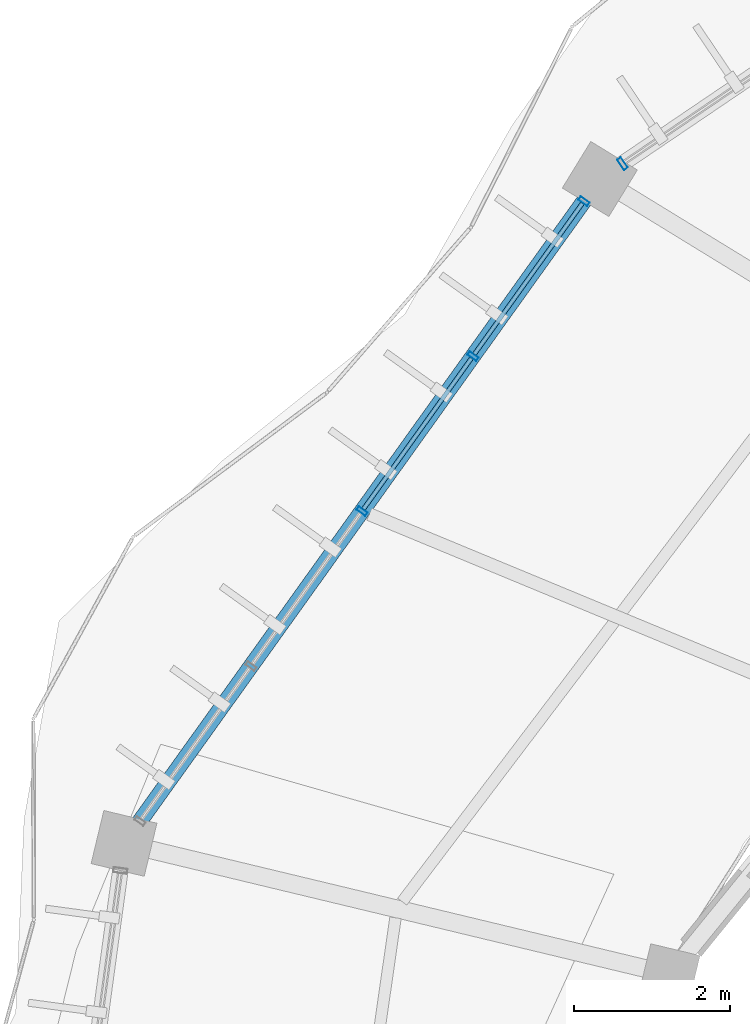
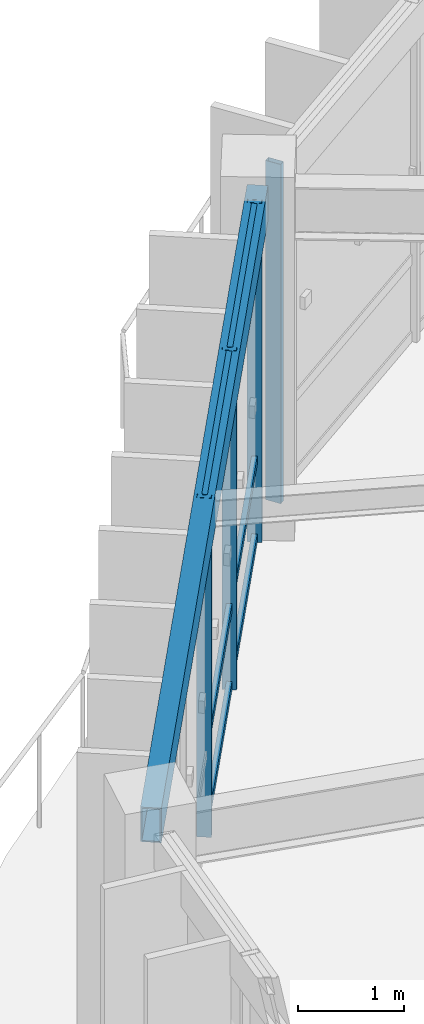
# One storey, part 42 of 138: 10 members, 1 beam, 2 elements without a shape of their own.
"""IFC4 building model written with IfcOpenShell, lengths in metres."""

from ifc_helpers import new_model, si_unit, direction, frame, origin, origin_2d, place, context, subcontext, project, spatial, hollow_rectangle, extrude, material, material_profile, profile_set, type_object, element, aggregate, save


model = new_model("IFC4")

# Units and contexts
model_context = context("Model", 3, precision=1e-05, world=origin(), true_north=direction((0.0, 1.0)))
body_context = subcontext(model_context, "Body", "Model", "MODEL_VIEW")
ifc_project = project(units=[si_unit("LENGTHUNIT", "METRE"), si_unit("AREAUNIT", "SQUARE_METRE"), si_unit("VOLUMEUNIT", "CUBIC_METRE"), si_unit("PLANEANGLEUNIT", "RADIAN"), si_unit("MASSUNIT", "GRAM", prefix="KILO"), si_unit("THERMODYNAMICTEMPERATUREUNIT", "KELVIN"), si_unit("POWERUNIT", "WATT")], contexts=[model_context])

# Site, building, storey
site_placement = place(None, origin())
site = spatial("IfcSite", under=ifc_project, at=site_placement, CompositionType="ELEMENT")
building_placement = place(site_placement, origin())
building = spatial("IfcBuilding", under=site, at=building_placement, Name="Darbajah Civic Hall", CompositionType="ELEMENT")
storey_placement = place(building_placement, frame((0.0, 0.0, 9.60009765625)))
storey = spatial("IfcBuildingStorey", under=building, at=storey_placement, Name="L02", CompositionType="ELEMENT", Elevation=9.60009765625)

# Curtain wall, members
ifc_material_1 = material(Name="Anodised Bronze Aluminium and Low-E Glazing", Category="aluminium")
curtain_wall_type_1 = type_object("IfcCurtainWallType", Name="Unitised Curtain Wall CW-44 9800x3900", PredefinedType="USERDEFINED", material=ifc_material_1)
curtain_wall_1_placement = place(storey_placement, origin())
curtain_wall_1 = element("IfcCurtainWall", 1, at=curtain_wall_1_placement, inside=storey, type_object=curtain_wall_type_1, Name="L02 unitised curtain wall CW-V1O-L02-08", ObjectType="UNITISED CURTAIN WALL", PredefinedType="USERDEFINED")
ifc_material_2 = material(Name="Anodised Bronze Aluminium", Category="aluminium")
ifc_material_profile_1 = material_profile(ifc_material_2, hollow_rectangle(XDim=0.054931640625, YDim=0.139892578125, WallThickness=0.003173828125, at=origin_2d()), Name="ALU MULLION 55x140")
ifc_profile_set_1 = profile_set([ifc_material_profile_1], Name="Anodised Bronze Aluminium")
member_type_1 = type_object("IfcMemberType", Name="ALU MULLION 55x140", PredefinedType="MULLION", material=ifc_profile_set_1)
member_1_placement = place(storey_placement, frame((45.410400390625, 104.927490234375, 0.0), z_axis=(0.0, 0.0, 1.0), x_axis=(-0.582264874145, -0.812999149039, 0.0)))
member_1 = element("IfcMember", 2, at=member_1_placement, type_object=member_type_1, Name="CW-V1O-L02-08 mullion 1", PredefinedType="MULLION", context=body_context, shape_type="SweptSolid", body=[
    extrude(hollow_rectangle(XDim=0.054931640625, YDim=0.139892578125, WallThickness=0.003173828125, at=origin_2d()), origin(), (0.0, 0.0, 1.0), 3.919921875),
])
member_2_placement = place(storey_placement, frame((43.986328125, 102.938720703125, 0.0), z_axis=(0.0, 0.0, 1.0), x_axis=(-0.582264874145, -0.812999149039, 0.0)))
member_2 = element("IfcMember", 3, at=member_2_placement, type_object=member_type_1, Name="CW-V1O-L02-08 mullion 2", PredefinedType="MULLION", context=body_context, shape_type="SweptSolid", body=[
    extrude(hollow_rectangle(XDim=0.054931640625, YDim=0.139892578125, WallThickness=0.003173828125, at=origin_2d()), origin(), (0.0, 0.0, 1.0), 3.919921875),
])
member_3_placement = place(storey_placement, frame((42.562255859375, 100.9501953125, 0.0), z_axis=(0.0, 0.0, 1.0), x_axis=(-0.582264874145, -0.812999149039, 0.0)))
member_3 = element("IfcMember", 4, at=member_3_placement, type_object=member_type_1, Name="CW-V1O-L02-08 mullion 3", PredefinedType="MULLION", context=body_context, shape_type="SweptSolid", body=[
    extrude(hollow_rectangle(XDim=0.054931640625, YDim=0.139892578125, WallThickness=0.003173828125, at=origin_2d()), origin(), (0.0, 0.0, 1.0), 3.919921875),
])

# Curtain wall, member
curtain_wall_type_2 = type_object("IfcCurtainWallType", Name="Unitised Curtain Wall CW-26 11800x3900", PredefinedType="USERDEFINED", material=ifc_material_1)
curtain_wall_2_placement = place(storey_placement, origin())
curtain_wall_2 = element("IfcCurtainWall", 5, at=curtain_wall_2_placement, inside=storey, type_object=curtain_wall_type_2, Name="L02 unitised curtain wall CW-V1O-L02-07", ObjectType="UNITISED CURTAIN WALL", PredefinedType="USERDEFINED")
ifc_material_profile_2 = material_profile(ifc_material_2, hollow_rectangle(XDim=0.06005859375, YDim=0.159912109375, WallThickness=0.00341796875, at=origin_2d()), Name="ALU MULLION 60x160")
ifc_profile_set_2 = profile_set([ifc_material_profile_2], Name="Anodised Bronze Aluminium")
member_type_2 = type_object("IfcMemberType", Name="ALU MULLION 60x160", PredefinedType="MULLION", material=ifc_profile_set_2)
member_4_placement = place(storey_placement, frame((45.90673828125, 105.4111328125, 0.0), z_axis=(0.0, 0.0, 1.0), x_axis=(-0.827962472047, -0.560783509816, 0.0)))
member_4 = element("IfcMember", 6, at=member_4_placement, type_object=member_type_2, Name="CW-V1O-L02-07 mullion 5", PredefinedType="MULLION", context=body_context, shape_type="SweptSolid", body=[
    extrude(hollow_rectangle(XDim=0.06005859375, YDim=0.159912109375, WallThickness=0.00341796875, at=origin_2d()), origin(), (0.0, 0.0, 1.0), 3.919921875),
])
aggregate(curtain_wall_2, [member_4])

# Member
ifc_material_profile_3 = material_profile(ifc_material_2, hollow_rectangle(XDim=0.054931640625, YDim=0.10009765625, WallThickness=0.0029296875, at=origin_2d()), Name="ALU TRANSOM 55x100")
ifc_profile_set_3 = profile_set([ifc_material_profile_3], Name="Anodised Bronze Aluminium")
member_type_3 = type_object("IfcMemberType", Name="ALU TRANSOM 55x100", PredefinedType="USERDEFINED", material=ifc_profile_set_3)
member_5_placement = place(storey_placement, frame((45.3916015625, 104.901123046875, 0.0498046875), z_axis=(-0.58216890217, -0.813067874993, 0.0), x_axis=(0.813067874993, -0.58216890217, 0.0)))
member_5 = element("IfcMember", 7, at=member_5_placement, type_object=member_type_3, Name="CW-V1O-L02-08 transom 1.1", ObjectType="TRANSOM", PredefinedType="USERDEFINED", context=body_context, shape_type="SweptSolid", body=[
    extrude(hollow_rectangle(XDim=0.054931640625, YDim=0.10009765625, WallThickness=0.0029296875, at=origin_2d()), origin(), (0.0, 0.0, 1.0), 2.381103515625),
])

member_6_placement = place(storey_placement, frame((45.3916015625, 104.901123046875, 0.949951171875), z_axis=(-0.58216890217, -0.813067874993, 0.0), x_axis=(0.813067874993, -0.58216890217, 0.0)))
member_6 = element("IfcMember", 8, at=member_6_placement, type_object=member_type_3, Name="CW-V1O-L02-08 transom 1.2", ObjectType="TRANSOM", PredefinedType="USERDEFINED", context=body_context, shape_type="SweptSolid", body=[
    extrude(hollow_rectangle(XDim=0.054931640625, YDim=0.10009765625, WallThickness=0.0029296875, at=origin_2d()), origin(), (0.0, 0.0, 1.0), 2.381103515625),
])

member_7_placement = place(storey_placement, frame((45.3916015625, 104.901123046875, 3.869873046875), z_axis=(-0.58216890217, -0.813067874993, 0.0), x_axis=(0.813067874993, -0.58216890217, 0.0)))
member_7 = element("IfcMember", 9, at=member_7_placement, type_object=member_type_3, Name="CW-V1O-L02-08 transom 1.3", ObjectType="TRANSOM", PredefinedType="USERDEFINED", context=body_context, shape_type="SweptSolid", body=[
    extrude(hollow_rectangle(XDim=0.054931640625, YDim=0.10009765625, WallThickness=0.0029296875, at=origin_2d()), origin(), (0.0, 0.0, 1.0), 2.381103515625),
])

member_8_placement = place(storey_placement, frame((43.967529296875, 102.912353515625, 0.0498046875), z_axis=(-0.582217437317, -0.813033120902, 0.0), x_axis=(0.813033120902, -0.582217437317, 0.0)))
member_8 = element("IfcMember", 10, at=member_8_placement, type_object=member_type_3, Name="CW-V1O-L02-08 transom 2.1", ObjectType="TRANSOM", PredefinedType="USERDEFINED", context=body_context, shape_type="SweptSolid", body=[
    extrude(hollow_rectangle(XDim=0.054931640625, YDim=0.10009765625, WallThickness=0.0029296875, at=origin_2d()), origin(), (0.0, 0.0, 1.0), 2.380859375),
])

member_9_placement = place(storey_placement, frame((43.967529296875, 102.912353515625, 0.949951171875), z_axis=(-0.582217437317, -0.813033120902, 0.0), x_axis=(0.813033120902, -0.582217437317, 0.0)))
member_9 = element("IfcMember", 11, at=member_9_placement, type_object=member_type_3, Name="CW-V1O-L02-08 transom 2.2", ObjectType="TRANSOM", PredefinedType="USERDEFINED", context=body_context, shape_type="SweptSolid", body=[
    extrude(hollow_rectangle(XDim=0.054931640625, YDim=0.10009765625, WallThickness=0.0029296875, at=origin_2d()), origin(), (0.0, 0.0, 1.0), 2.380859375),
])

member_10_placement = place(storey_placement, frame((43.967529296875, 102.912353515625, 3.869873046875), z_axis=(-0.582217437317, -0.813033120902, 0.0), x_axis=(0.813033120902, -0.582217437317, 0.0)))
member_10 = element("IfcMember", 12, at=member_10_placement, type_object=member_type_3, Name="CW-V1O-L02-08 transom 2.3", ObjectType="TRANSOM", PredefinedType="USERDEFINED", context=body_context, shape_type="SweptSolid", body=[
    extrude(hollow_rectangle(XDim=0.054931640625, YDim=0.10009765625, WallThickness=0.0029296875, at=origin_2d()), origin(), (0.0, 0.0, 1.0), 2.380859375),
])

aggregate(curtain_wall_1, [member_1, member_2, member_3, member_5, member_6, member_7, member_8, member_9, member_10])

# Beam
ifc_material_3 = material(Name="Steel S355JR", Category="steel")
ifc_material_profile_4 = material_profile(ifc_material_3, hollow_rectangle(XDim=0.199951171875, YDim=0.39990234375, WallThickness=0.013916015625, at=origin_2d()), Name="RHS 400x200x14")
ifc_profile_set_4 = profile_set([ifc_material_profile_4], Name="Steel S355JR")
beam_type = type_object("IfcBeamType", Name="RHS 400x200x14", PredefinedType="SPANDREL", material=ifc_profile_set_4)
beam_placement = place(storey_placement, frame((45.56884765625, 105.148681640625, 3.719970703125), z_axis=(-0.58222165068, -0.813030103674, 0.0), x_axis=(0.813030103674, -0.58222165068, 0.0)))
element("IfcBeam", 13, at=beam_placement, inside=storey, type_object=beam_type, Name="L02 beam SP-RHS400", PredefinedType="SPANDREL", context=body_context, shape_type="SweptSolid", body=[
    extrude(hollow_rectangle(XDim=0.199951171875, YDim=0.39990234375, WallThickness=0.013916015625, at=origin_2d()), origin(), (0.0, 0.0, 1.0), 10.327880859375),
])

save(model, "model.ifc")
